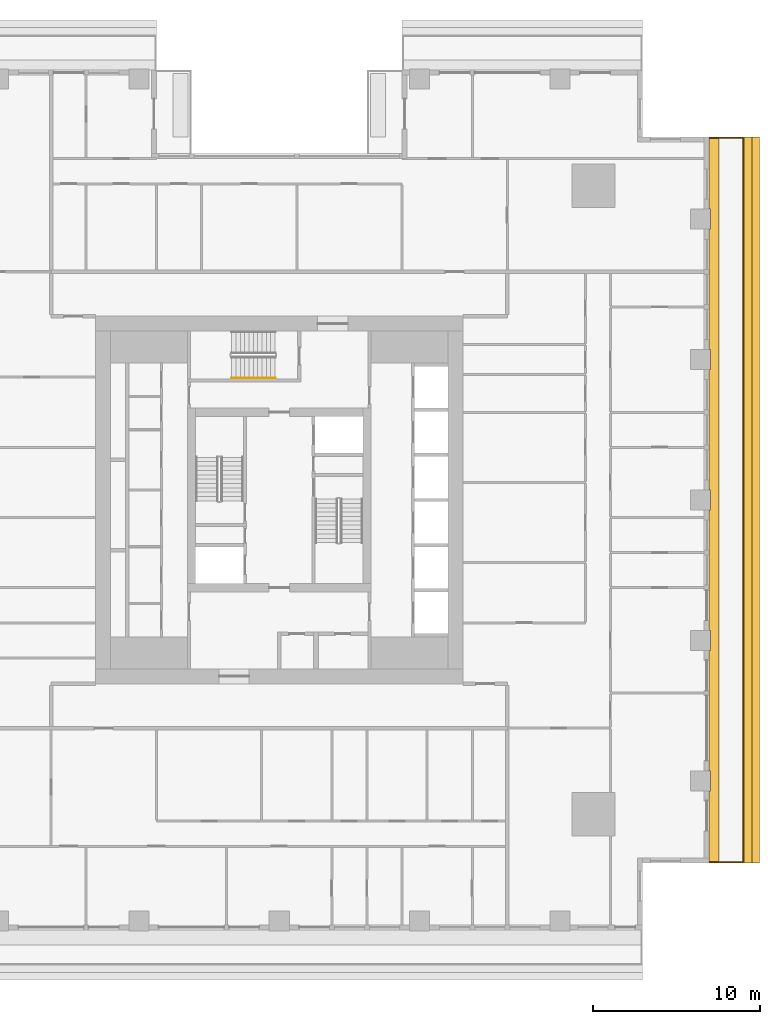
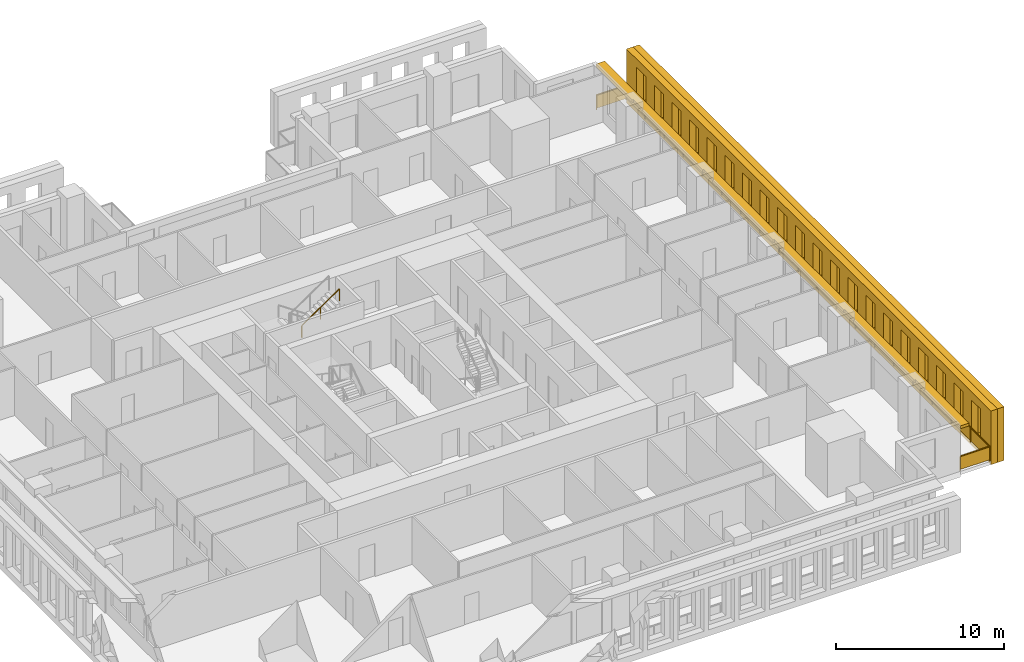
# One storey, part 14 of 16: 3 shading devices, 2 railings.
"""IFC4 building model written with IfcOpenShell, lengths in metres."""

from ifc_helpers import new_model, si_unit, direction, frame, origin, origin_2d, place, context, subcontext, project, spatial, polyline, rectangle, outline, extrude, material, layer, layer_set, type_object, element, save


model = new_model("IFC4")

# Units and contexts
model_context = context("Model", 3, precision=1e-05, world=origin(), true_north=direction((0.0, 1.0)))
body_context = subcontext(model_context, "Body", "Model", "MODEL_VIEW")
ifc_project = project(units=[si_unit("LENGTHUNIT", "METRE"), si_unit("AREAUNIT", "SQUARE_METRE"), si_unit("VOLUMEUNIT", "CUBIC_METRE"), si_unit("PLANEANGLEUNIT", "RADIAN"), si_unit("MASSUNIT", "GRAM", prefix="KILO")], contexts=[model_context])

# Site, building, storey
site_placement = place(None, origin())
site = spatial("IfcSite", under=ifc_project, at=site_placement, CompositionType="ELEMENT")
building_placement = place(site_placement, origin())
building = spatial("IfcBuilding", under=site, at=building_placement, Name="Khepri Terraces", CompositionType="ELEMENT")
storey_placement = place(building_placement, frame((0.0, 0.0, 149.39990234375)))
storey = spatial("IfcBuildingStorey", under=building, at=storey_placement, Name="L35", CompositionType="ELEMENT", Elevation=149.39990234375)

# Railings
ifc_material_1 = material(Name="Stainless steel grade 316", Category="steel")
railing_type_1 = type_object("IfcRailingType", Name="GRD-BAL-1100", PredefinedType="GUARDRAIL", material=ifc_material_1)
railing_1_placement = place(storey_placement, frame((25.719970703125, -21.669921875, 0.0)))
element("IfcRailing", 1, at=railing_1_placement, inside=storey, type_object=railing_type_1, Name="Balcony guard L35 E", PredefinedType="GUARDRAIL", context=body_context, shape_type="SweptSolid", body=[
    extrude(rectangle(XDim=0.050048828125, YDim=0.06005859375, at=origin_2d()), frame((0.0, 0.0, 1.070068359375), z_axis=(1.0, 0.0, 0.0), x_axis=(0.0, 1.0, 0.0)), (0.0, 0.0, 1.0), 2.050048828125),
    extrude(rectangle(XDim=2.0, YDim=0.011962890625, at=origin_2d()), frame((1.02490234375, 0.0, 0.10009765625), z_axis=(0.0, 0.0, 1.0), x_axis=(1.0, 0.0, 0.0)), (0.0, 0.0, 1.0), 0.93994140625),
    extrude(rectangle(XDim=0.050048828125, YDim=0.06005859375, at=origin_2d()), frame((2.050048828125, 0.0, 1.070068359375), z_axis=(0.0, 1.0, 0.0), x_axis=(-1.0, 0.0, 0.0)), (0.0, 0.0, 1.0), 43.33984375),
    extrude(rectangle(XDim=2.23095703125, YDim=0.011962890625, at=origin_2d()), frame((2.050048828125, 1.140625, 0.10009765625), z_axis=(0.0, 0.0, 1.0), x_axis=(0.0, 1.0, 0.0)), (0.0, 0.0, 1.0), 0.93994140625),
    extrude(rectangle(XDim=2.23095703125, YDim=0.011962890625, at=origin_2d()), frame((2.050048828125, 3.421630859375, 0.10009765625), z_axis=(0.0, 0.0, 1.0), x_axis=(0.0, 1.0, 0.0)), (0.0, 0.0, 1.0), 0.93994140625),
    extrude(rectangle(XDim=2.23095703125, YDim=0.011962890625, at=origin_2d()), frame((2.050048828125, 5.70263671875, 0.10009765625), z_axis=(0.0, 0.0, 1.0), x_axis=(0.0, 1.0, 0.0)), (0.0, 0.0, 1.0), 0.93994140625),
    extrude(rectangle(XDim=2.23095703125, YDim=0.011962890625, at=origin_2d()), frame((2.050048828125, 7.983642578125, 0.10009765625), z_axis=(0.0, 0.0, 1.0), x_axis=(0.0, 1.0, 0.0)), (0.0, 0.0, 1.0), 0.93994140625),
    extrude(rectangle(XDim=2.23095703125, YDim=0.011962890625, at=origin_2d()), frame((2.050048828125, 10.2646484375, 0.10009765625), z_axis=(0.0, 0.0, 1.0), x_axis=(0.0, 1.0, 0.0)), (0.0, 0.0, 1.0), 0.93994140625),
    extrude(rectangle(XDim=2.23095703125, YDim=0.011962890625, at=origin_2d()), frame((2.050048828125, 12.545654296875, 0.10009765625), z_axis=(0.0, 0.0, 1.0), x_axis=(0.0, 1.0, 0.0)), (0.0, 0.0, 1.0), 0.93994140625),
    extrude(rectangle(XDim=2.23095703125, YDim=0.011962890625, at=origin_2d()), frame((2.050048828125, 14.826904296875, 0.10009765625), z_axis=(0.0, 0.0, 1.0), x_axis=(0.0, 1.0, 0.0)), (0.0, 0.0, 1.0), 0.93994140625),
    extrude(rectangle(XDim=2.23095703125, YDim=0.011962890625, at=origin_2d()), frame((2.050048828125, 17.10791015625, 0.10009765625), z_axis=(0.0, 0.0, 1.0), x_axis=(0.0, 1.0, 0.0)), (0.0, 0.0, 1.0), 0.93994140625),
    extrude(rectangle(XDim=2.23095703125, YDim=0.011962890625, at=origin_2d()), frame((2.050048828125, 19.388916015625, 0.10009765625), z_axis=(0.0, 0.0, 1.0), x_axis=(0.0, 1.0, 0.0)), (0.0, 0.0, 1.0), 0.93994140625),
    extrude(rectangle(XDim=2.23095703125, YDim=0.011962890625, at=origin_2d()), frame((2.050048828125, 21.669921875, 0.10009765625), z_axis=(0.0, 0.0, 1.0), x_axis=(0.0, 1.0, 0.0)), (0.0, 0.0, 1.0), 0.93994140625),
    extrude(rectangle(XDim=2.23095703125, YDim=0.011962890625, at=origin_2d()), frame((2.050048828125, 23.950927734375, 0.10009765625), z_axis=(0.0, 0.0, 1.0), x_axis=(0.0, 1.0, 0.0)), (0.0, 0.0, 1.0), 0.93994140625),
    extrude(rectangle(XDim=2.23095703125, YDim=0.011962890625, at=origin_2d()), frame((2.050048828125, 26.23193359375, 0.10009765625), z_axis=(0.0, 0.0, 1.0), x_axis=(0.0, 1.0, 0.0)), (0.0, 0.0, 1.0), 0.93994140625),
    extrude(rectangle(XDim=2.23095703125, YDim=0.011962890625, at=origin_2d()), frame((2.050048828125, 28.512939453125, 0.10009765625), z_axis=(0.0, 0.0, 1.0), x_axis=(0.0, 1.0, 0.0)), (0.0, 0.0, 1.0), 0.93994140625),
    extrude(rectangle(XDim=2.23095703125, YDim=0.011962890625, at=origin_2d()), frame((2.050048828125, 30.794189453125, 0.10009765625), z_axis=(0.0, 0.0, 1.0), x_axis=(0.0, 1.0, 0.0)), (0.0, 0.0, 1.0), 0.93994140625),
    extrude(rectangle(XDim=2.23095703125, YDim=0.011962890625, at=origin_2d()), frame((2.050048828125, 33.0751953125, 0.10009765625), z_axis=(0.0, 0.0, 1.0), x_axis=(0.0, 1.0, 0.0)), (0.0, 0.0, 1.0), 0.93994140625),
    extrude(rectangle(XDim=2.23095703125, YDim=0.011962890625, at=origin_2d()), frame((2.050048828125, 35.356201171875, 0.10009765625), z_axis=(0.0, 0.0, 1.0), x_axis=(0.0, 1.0, 0.0)), (0.0, 0.0, 1.0), 0.93994140625),
    extrude(rectangle(XDim=2.23095703125, YDim=0.011962890625, at=origin_2d()), frame((2.050048828125, 37.63720703125, 0.10009765625), z_axis=(0.0, 0.0, 1.0), x_axis=(0.0, 1.0, 0.0)), (0.0, 0.0, 1.0), 0.93994140625),
    extrude(rectangle(XDim=2.23095703125, YDim=0.011962890625, at=origin_2d()), frame((2.050048828125, 39.918212890625, 0.10009765625), z_axis=(0.0, 0.0, 1.0), x_axis=(0.0, 1.0, 0.0)), (0.0, 0.0, 1.0), 0.93994140625),
    extrude(rectangle(XDim=2.23095703125, YDim=0.011962890625, at=origin_2d()), frame((2.050048828125, 42.19921875, 0.10009765625), z_axis=(0.0, 0.0, 1.0), x_axis=(0.0, 1.0, 0.0)), (0.0, 0.0, 1.0), 0.93994140625),
    extrude(rectangle(XDim=0.050048828125, YDim=0.06005859375, at=origin_2d()), frame((2.050048828125, 43.33984375, 1.070068359375), z_axis=(-1.0, 0.0, 0.0), x_axis=(0.0, -1.0, 0.0)), (0.0, 0.0, 1.0), 2.050048828125),
    extrude(rectangle(XDim=2.0, YDim=0.011962890625, at=origin_2d()), frame((1.02490234375, 43.33984375, 0.10009765625), z_axis=(0.0, 0.0, 1.0), x_axis=(-1.0, 0.0, 0.0)), (0.0, 0.0, 1.0), 0.93994140625),
    extrude(rectangle(XDim=0.050048828125, YDim=0.050048828125, at=origin_2d()), origin(), (0.0, 0.0, 1.0), 1.0400390625),
    extrude(rectangle(XDim=0.050048828125, YDim=0.050048828125, at=origin_2d()), frame((2.050048828125, 0.0, 0.0)), (0.0, 0.0, 1.0), 1.0400390625),
    extrude(rectangle(XDim=0.050048828125, YDim=0.050048828125, at=origin_2d()), frame((2.050048828125, 2.281005859375, 0.0)), (0.0, 0.0, 1.0), 1.0400390625),
    extrude(rectangle(XDim=0.050048828125, YDim=0.050048828125, at=origin_2d()), frame((2.050048828125, 4.56201171875, 0.0)), (0.0, 0.0, 1.0), 1.0400390625),
    extrude(rectangle(XDim=0.050048828125, YDim=0.050048828125, at=origin_2d()), frame((2.050048828125, 6.843017578125, 0.0)), (0.0, 0.0, 1.0), 1.0400390625),
    extrude(rectangle(XDim=0.050048828125, YDim=0.050048828125, at=origin_2d()), frame((2.050048828125, 9.124267578125, 0.0)), (0.0, 0.0, 1.0), 1.0400390625),
    extrude(rectangle(XDim=0.050048828125, YDim=0.050048828125, at=origin_2d()), frame((2.050048828125, 11.4052734375, 0.0)), (0.0, 0.0, 1.0), 1.0400390625),
    extrude(rectangle(XDim=0.050048828125, YDim=0.050048828125, at=origin_2d()), frame((2.050048828125, 13.686279296875, 0.0)), (0.0, 0.0, 1.0), 1.0400390625),
    extrude(rectangle(XDim=0.050048828125, YDim=0.050048828125, at=origin_2d()), frame((2.050048828125, 15.96728515625, 0.0)), (0.0, 0.0, 1.0), 1.0400390625),
    extrude(rectangle(XDim=0.050048828125, YDim=0.050048828125, at=origin_2d()), frame((2.050048828125, 18.248291015625, 0.0)), (0.0, 0.0, 1.0), 1.0400390625),
    extrude(rectangle(XDim=0.050048828125, YDim=0.050048828125, at=origin_2d()), frame((2.050048828125, 20.529296875, 0.0)), (0.0, 0.0, 1.0), 1.0400390625),
    extrude(rectangle(XDim=0.050048828125, YDim=0.050048828125, at=origin_2d()), frame((2.050048828125, 22.810546875, 0.0)), (0.0, 0.0, 1.0), 1.0400390625),
    extrude(rectangle(XDim=0.050048828125, YDim=0.050048828125, at=origin_2d()), frame((2.050048828125, 25.091552734375, 0.0)), (0.0, 0.0, 1.0), 1.0400390625),
    extrude(rectangle(XDim=0.050048828125, YDim=0.050048828125, at=origin_2d()), frame((2.050048828125, 27.37255859375, 0.0)), (0.0, 0.0, 1.0), 1.0400390625),
    extrude(rectangle(XDim=0.050048828125, YDim=0.050048828125, at=origin_2d()), frame((2.050048828125, 29.653564453125, 0.0)), (0.0, 0.0, 1.0), 1.0400390625),
    extrude(rectangle(XDim=0.050048828125, YDim=0.050048828125, at=origin_2d()), frame((2.050048828125, 31.9345703125, 0.0)), (0.0, 0.0, 1.0), 1.0400390625),
    extrude(rectangle(XDim=0.050048828125, YDim=0.050048828125, at=origin_2d()), frame((2.050048828125, 34.215576171875, 0.0)), (0.0, 0.0, 1.0), 1.0400390625),
    extrude(rectangle(XDim=0.050048828125, YDim=0.050048828125, at=origin_2d()), frame((2.050048828125, 36.496826171875, 0.0)), (0.0, 0.0, 1.0), 1.0400390625),
    extrude(rectangle(XDim=0.050048828125, YDim=0.050048828125, at=origin_2d()), frame((2.050048828125, 38.77783203125, 0.0)), (0.0, 0.0, 1.0), 1.0400390625),
    extrude(rectangle(XDim=0.050048828125, YDim=0.050048828125, at=origin_2d()), frame((2.050048828125, 41.058837890625, 0.0)), (0.0, 0.0, 1.0), 1.0400390625),
    extrude(rectangle(XDim=0.050048828125, YDim=0.050048828125, at=origin_2d()), frame((2.050048828125, 43.33984375, 0.0)), (0.0, 0.0, 1.0), 1.0400390625),
    extrude(rectangle(XDim=0.050048828125, YDim=0.050048828125, at=origin_2d()), frame((0.0, 43.33984375, 0.0)), (0.0, 0.0, 1.0), 1.0400390625),
])
ifc_material_2 = material(Name="Stainless steel 316", Category="steel")
railing_type_2 = type_object("IfcRailingType", Name="RL-CORE-HANDRAIL", PredefinedType="HANDRAIL", material=ifc_material_2)
railing_2_placement = place(storey_placement, frame((-2.85009765625, 7.300048828125, 2.12744140625)))
element("IfcRailing", 2, at=railing_2_placement, inside=storey, type_object=railing_type_2, Name="L35 ST-3 stair handrail 2", PredefinedType="HANDRAIL", context=body_context, shape_type="SweptSolid", body=[
    extrude(rectangle(XDim=0.050048828125, YDim=0.050048828125, at=origin_2d()), frame((0.0, 0.0, 0.875), z_axis=(0.826240473404, 0.0, 0.563317565952), x_axis=(0.0, 1.0, 0.0)), (0.0, 0.0, 1.0), 3.14697265625),
    extrude(rectangle(XDim=0.050048828125, YDim=0.050048828125, at=origin_2d()), origin(), (0.0, 0.0, 1.0), 0.849853515625),
    extrude(rectangle(XDim=0.050048828125, YDim=0.050048828125, at=origin_2d()), frame((1.300048828125, 0.0, 0.88623046875)), (0.0, 0.0, 1.0), 0.849853515625),
    extrude(rectangle(XDim=0.050048828125, YDim=0.050048828125, at=origin_2d()), frame((2.60009765625, 0.0, 1.772705078125)), (0.0, 0.0, 1.0), 0.849853515625),
])

# Shading devices
ifc_material_3 = material(Name="Precast concrete C50/60 warm stone", Category="masonry")
shading_device_type_1 = type_object("IfcShadingDeviceType", Name="SCR-CELL-INNER-450", PredefinedType="USERDEFINED", material=ifc_material_3)
shading_device_1_placement = place(storey_placement, frame((27.820068359375, -21.719970703125, -0.25), z_axis=(1.0, 0.0, 0.0), x_axis=(0.0, 1.0, 0.0)))
element("IfcShadingDevice", 3, at=shading_device_1_placement, inside=storey, type_object=shading_device_type_1, Name="Cell screen L35 E in", ObjectType="SCREEN", PredefinedType="USERDEFINED", context=body_context, shape_type="SweptSolid", body=[
    extrude(outline(polyline([(0.0, 0.0), (43.43994140625, 0.0), (43.43994140625, 3.89990234375), (0.0, 3.89990234375), (0.0, 0.0)]), holes=[polyline([(1.2265625, 0.699951171875), (2.3134765625, 0.699951171875), (2.3134765625, 3.300048828125), (1.2265625, 3.300048828125), (1.2265625, 0.699951171875)]), polyline([(3.32666015625, 0.699951171875), (4.413330078125, 0.699951171875), (4.413330078125, 3.300048828125), (3.32666015625, 3.300048828125), (3.32666015625, 0.699951171875)]), polyline([(5.426513671875, 0.699951171875), (6.513427734375, 0.699951171875), (6.513427734375, 3.300048828125), (5.426513671875, 3.300048828125), (5.426513671875, 0.699951171875)]), polyline([(7.526611328125, 0.699951171875), (8.61328125, 0.699951171875), (8.61328125, 3.300048828125), (7.526611328125, 3.300048828125), (7.526611328125, 0.699951171875)]), polyline([(9.626708984375, 0.699951171875), (10.71337890625, 0.699951171875), (10.71337890625, 3.300048828125), (9.626708984375, 3.300048828125), (9.626708984375, 0.699951171875)]), polyline([(11.7265625, 0.699951171875), (12.8134765625, 0.699951171875), (12.8134765625, 3.300048828125), (11.7265625, 3.300048828125), (11.7265625, 0.699951171875)]), polyline([(13.82666015625, 0.699951171875), (14.913330078125, 0.699951171875), (14.913330078125, 3.300048828125), (13.82666015625, 3.300048828125), (13.82666015625, 0.699951171875)]), polyline([(15.926513671875, 0.699951171875), (17.013427734375, 0.699951171875), (17.013427734375, 3.300048828125), (15.926513671875, 3.300048828125), (15.926513671875, 0.699951171875)]), polyline([(18.026611328125, 0.699951171875), (19.11328125, 0.699951171875), (19.11328125, 3.300048828125), (18.026611328125, 3.300048828125), (18.026611328125, 0.699951171875)]), polyline([(20.126708984375, 0.699951171875), (21.21337890625, 0.699951171875), (21.21337890625, 3.300048828125), (20.126708984375, 3.300048828125), (20.126708984375, 0.699951171875)]), polyline([(22.2265625, 0.699951171875), (23.3134765625, 0.699951171875), (23.3134765625, 3.300048828125), (22.2265625, 3.300048828125), (22.2265625, 0.699951171875)]), polyline([(24.32666015625, 0.699951171875), (25.413330078125, 0.699951171875), (25.413330078125, 3.300048828125), (24.32666015625, 3.300048828125), (24.32666015625, 0.699951171875)]), polyline([(26.426513671875, 0.699951171875), (27.513427734375, 0.699951171875), (27.513427734375, 3.300048828125), (26.426513671875, 3.300048828125), (26.426513671875, 0.699951171875)]), polyline([(28.526611328125, 0.699951171875), (29.61328125, 0.699951171875), (29.61328125, 3.300048828125), (28.526611328125, 3.300048828125), (28.526611328125, 0.699951171875)]), polyline([(30.626708984375, 0.699951171875), (31.71337890625, 0.699951171875), (31.71337890625, 3.300048828125), (30.626708984375, 3.300048828125), (30.626708984375, 0.699951171875)]), polyline([(32.7265625, 0.699951171875), (33.8134765625, 0.699951171875), (33.8134765625, 3.300048828125), (32.7265625, 3.300048828125), (32.7265625, 0.699951171875)]), polyline([(34.82666015625, 0.699951171875), (35.913330078125, 0.699951171875), (35.913330078125, 3.300048828125), (34.82666015625, 3.300048828125), (34.82666015625, 0.699951171875)]), polyline([(36.926513671875, 0.699951171875), (38.013427734375, 0.699951171875), (38.013427734375, 3.300048828125), (36.926513671875, 3.300048828125), (36.926513671875, 0.699951171875)]), polyline([(39.026611328125, 0.699951171875), (40.11328125, 0.699951171875), (40.11328125, 3.300048828125), (39.026611328125, 3.300048828125), (39.026611328125, 0.699951171875)]), polyline([(41.126708984375, 0.699951171875), (42.21337890625, 0.699951171875), (42.21337890625, 3.300048828125), (41.126708984375, 3.300048828125), (41.126708984375, 0.699951171875)])]), origin(), (0.0, 0.0, 1.0), 0.449951171875),
])
shading_device_type_2 = type_object("IfcShadingDeviceType", Name="SCR-CELL-OUTER-450", PredefinedType="USERDEFINED", material=ifc_material_3)
shading_device_2_placement = place(storey_placement, frame((28.27001953125, -21.719970703125, -0.25), z_axis=(1.0, 0.0, 0.0), x_axis=(0.0, 1.0, 0.0)))
element("IfcShadingDevice", 4, at=shading_device_2_placement, inside=storey, type_object=shading_device_type_2, Name="Cell screen L35 E out", ObjectType="SCREEN", PredefinedType="USERDEFINED", context=body_context, shape_type="SweptSolid", body=[
    extrude(outline(polyline([(0.0, 0.0), (43.43994140625, 0.0), (43.43994140625, 3.89990234375), (0.0, 3.89990234375), (0.0, 0.0)]), holes=[polyline([(0.876708984375, 0.449951171875), (2.663330078125, 0.449951171875), (2.663330078125, 3.550048828125), (0.876708984375, 3.550048828125), (0.876708984375, 0.449951171875)]), polyline([(2.9765625, 0.449951171875), (4.763427734375, 0.449951171875), (4.763427734375, 3.550048828125), (2.9765625, 3.550048828125), (2.9765625, 0.449951171875)]), polyline([(5.07666015625, 0.449951171875), (6.86328125, 0.449951171875), (6.86328125, 3.550048828125), (5.07666015625, 3.550048828125), (5.07666015625, 0.449951171875)]), polyline([(7.176513671875, 0.449951171875), (8.96337890625, 0.449951171875), (8.96337890625, 3.550048828125), (7.176513671875, 3.550048828125), (7.176513671875, 0.449951171875)]), polyline([(9.276611328125, 0.449951171875), (11.0634765625, 0.449951171875), (11.0634765625, 3.550048828125), (9.276611328125, 3.550048828125), (9.276611328125, 0.449951171875)]), polyline([(11.376708984375, 0.449951171875), (13.163330078125, 0.449951171875), (13.163330078125, 3.550048828125), (11.376708984375, 3.550048828125), (11.376708984375, 0.449951171875)]), polyline([(13.4765625, 0.449951171875), (15.263427734375, 0.449951171875), (15.263427734375, 3.550048828125), (13.4765625, 3.550048828125), (13.4765625, 0.449951171875)]), polyline([(15.57666015625, 0.449951171875), (17.36328125, 0.449951171875), (17.36328125, 3.550048828125), (15.57666015625, 3.550048828125), (15.57666015625, 0.449951171875)]), polyline([(17.676513671875, 0.449951171875), (19.46337890625, 0.449951171875), (19.46337890625, 3.550048828125), (17.676513671875, 3.550048828125), (17.676513671875, 0.449951171875)]), polyline([(19.776611328125, 0.449951171875), (21.5634765625, 0.449951171875), (21.5634765625, 3.550048828125), (19.776611328125, 3.550048828125), (19.776611328125, 0.449951171875)]), polyline([(21.876708984375, 0.449951171875), (23.663330078125, 0.449951171875), (23.663330078125, 3.550048828125), (21.876708984375, 3.550048828125), (21.876708984375, 0.449951171875)]), polyline([(23.9765625, 0.449951171875), (25.763427734375, 0.449951171875), (25.763427734375, 3.550048828125), (23.9765625, 3.550048828125), (23.9765625, 0.449951171875)]), polyline([(26.07666015625, 0.449951171875), (27.86328125, 0.449951171875), (27.86328125, 3.550048828125), (26.07666015625, 3.550048828125), (26.07666015625, 0.449951171875)]), polyline([(28.176513671875, 0.449951171875), (29.96337890625, 0.449951171875), (29.96337890625, 3.550048828125), (28.176513671875, 3.550048828125), (28.176513671875, 0.449951171875)]), polyline([(30.276611328125, 0.449951171875), (32.0634765625, 0.449951171875), (32.0634765625, 3.550048828125), (30.276611328125, 3.550048828125), (30.276611328125, 0.449951171875)]), polyline([(32.376708984375, 0.449951171875), (34.163330078125, 0.449951171875), (34.163330078125, 3.550048828125), (32.376708984375, 3.550048828125), (32.376708984375, 0.449951171875)]), polyline([(34.4765625, 0.449951171875), (36.263427734375, 0.449951171875), (36.263427734375, 3.550048828125), (34.4765625, 3.550048828125), (34.4765625, 0.449951171875)]), polyline([(36.57666015625, 0.449951171875), (38.36328125, 0.449951171875), (38.36328125, 3.550048828125), (36.57666015625, 3.550048828125), (36.57666015625, 0.449951171875)]), polyline([(38.676513671875, 0.449951171875), (40.46337890625, 0.449951171875), (40.46337890625, 3.550048828125), (38.676513671875, 3.550048828125), (38.676513671875, 0.449951171875)]), polyline([(40.776611328125, 0.449951171875), (42.5634765625, 0.449951171875), (42.5634765625, 3.550048828125), (40.776611328125, 3.550048828125), (40.776611328125, 0.449951171875)])]), origin(), (0.0, 0.0, 1.0), 0.449951171875),
])
ifc_layer = layer(ifc_material_3, 0.199951171875, Name="Precast concrete C50/60 warm stone", Category="masonry")
ifc_layer_set = layer_set([ifc_layer], Name="Precast concrete C50/60 warm stone")
shading_device_type_3 = type_object("IfcShadingDeviceType", Name="SSH-BAND-STONE-200-N", PredefinedType="USERDEFINED", material=ifc_layer_set)
shading_device_3_placement = place(storey_placement, frame((0.0, 0.0, 3.10009765625)))
element("IfcShadingDevice", 5, at=shading_device_3_placement, inside=storey, type_object=shading_device_type_3, Name="Sunshade band L35 E", ObjectType="SUNSHADE", PredefinedType="USERDEFINED", context=body_context, shape_type="SweptSolid", body=[
    extrude(outline(polyline([(25.719970703125, -17.39990234375), (25.719970703125, -21.719970703125), (26.320068359375, -21.719970703125), (26.320068359375, 21.719970703125), (25.719970703125, 21.719970703125), (25.719970703125, 17.39990234375), (25.800048828125, 17.39990234375), (25.800048828125, 16.199951171875), (25.719970703125, 16.199951171875), (25.719970703125, 9.0), (25.800048828125, 9.0), (25.800048828125, 7.800048828125), (25.719970703125, 7.800048828125), (25.719970703125, 0.60009765625), (25.800048828125, 0.60009765625), (25.800048828125, -0.60009765625), (25.719970703125, -0.60009765625), (25.719970703125, -7.800048828125), (25.800048828125, -7.800048828125), (25.800048828125, -9.0), (25.719970703125, -9.0), (25.719970703125, -16.199951171875), (25.800048828125, -16.199951171875), (25.800048828125, -17.39990234375), (25.719970703125, -17.39990234375)])), origin(), (0.0, 0.0, 1.0), 0.199951171875),
])

save(model, "model.ifc")
